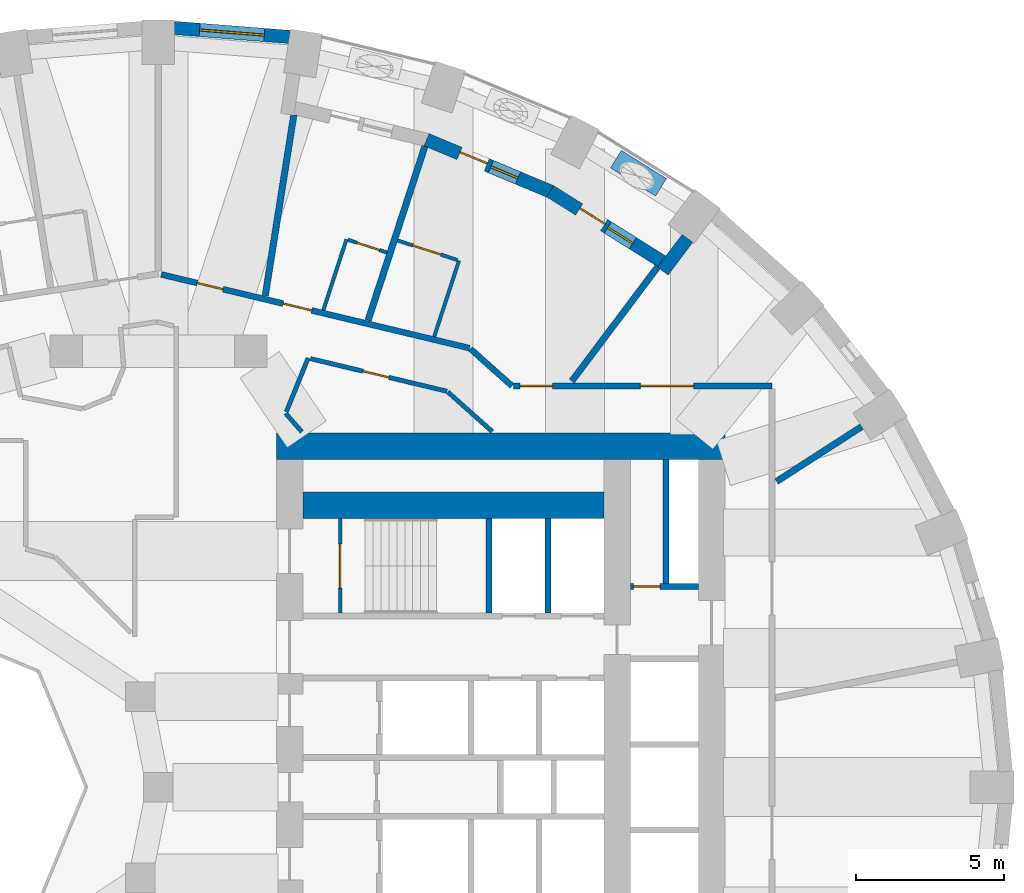
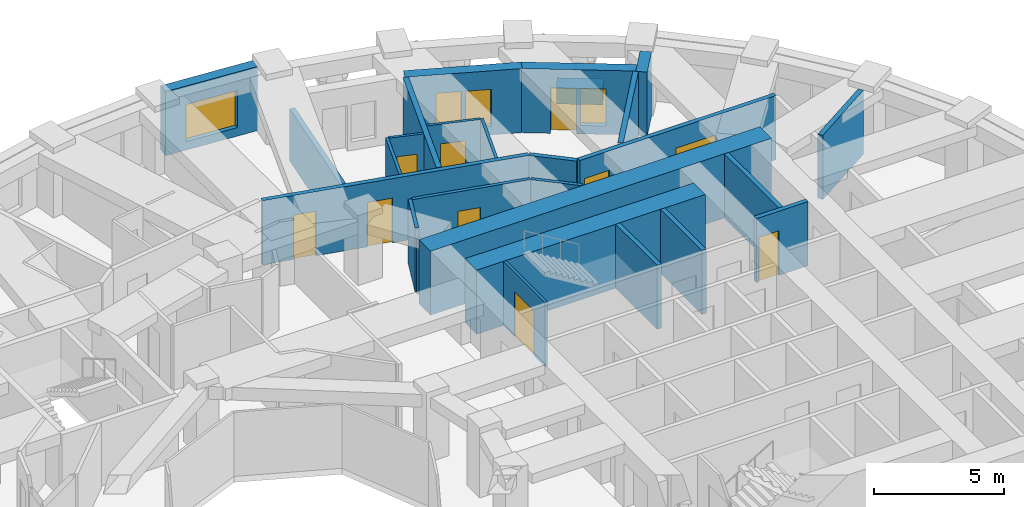
# One storey, part 9 of 14: 27 walls, 11 doors, 3 windows, 14 openings.
"""IFC4 building model written with IfcOpenShell, lengths in metres."""

from ifc_helpers import new_model, si_unit, direction, frame, frame_2d, origin, place, context, subcontext, project, spatial, rectangle, extrude, material, layer, layer_set, constituent, constituent_set, type_object, element, fill, save


model = new_model("IFC4")

# Units and contexts
model_context = context("Model", 3, precision=1e-05, world=origin(), true_north=direction((0.0, 1.0)))
body_context = subcontext(model_context, "Body", "Model", "MODEL_VIEW")
ifc_project = project(units=[si_unit("LENGTHUNIT", "METRE"), si_unit("AREAUNIT", "SQUARE_METRE"), si_unit("VOLUMEUNIT", "CUBIC_METRE"), si_unit("PLANEANGLEUNIT", "RADIAN"), si_unit("MASSUNIT", "GRAM", prefix="KILO")], contexts=[model_context])

# Site, building, storey
site_placement = place(None, origin())
site = spatial("IfcSite", under=ifc_project, at=site_placement, CompositionType="ELEMENT")
building_placement = place(site_placement, origin())
building = spatial("IfcBuilding", under=site, at=building_placement, Name="Taillehof Tower", CompositionType="ELEMENT")
storey_placement = place(building_placement, frame((0.0, 0.0, 21.699951171875)))
storey = spatial("IfcBuildingStorey", under=building, at=storey_placement, Name="L04", CompositionType="ELEMENT", Elevation=21.699951171875)

# Wall, opening, window
ifc_material_1 = material(Name="Brick masonry", Category="masonry")
ifc_layer_1 = layer(ifc_material_1, 0.449951171875)
ifc_layer_set_1 = layer_set([ifc_layer_1], Name="Brick infill wall 450")
wall_type_1 = type_object("IfcWallType", Name="Brick infill wall 450", PredefinedType="SOLIDWALL", material=ifc_layer_set_1)
wall_1_placement = place(storey_placement, frame((4.457275390625, 25.42578125, 0.0), z_axis=(0.0, 0.0, 1.0), x_axis=(-0.996955972145, 0.077966592873, 0.0)))
wall_1 = element("IfcWall", 1, at=wall_1_placement, inside=storey, type_object=wall_type_1, Name="Brick wall L04 bay 9", PredefinedType="SOLIDWALL", context=body_context, shape_type="SweptSolid", body=[
    extrude(rectangle(XDim=3.939208984375, YDim=0.449951171875, at=frame_2d((1.9697265625, 0.0))), origin(), (0.0, 0.0, 1.0), 3.02001953125),
])
opening_1_placement = place(wall_1_placement, frame((0.86962890625, 0.0, 0.39990234375)))
opening_1 = element("IfcOpeningElement", 2, at=opening_1_placement, cuts=wall_1, Name="Opening W1", PredefinedType="OPENING", context=body_context, shape_type="SweptSolid", body=[
    extrude(rectangle(XDim=2.199951171875, YDim=1.75, at=frame_2d((1.10009765625, 0.875))), frame((0.0, 0.23486328125, 0.0), z_axis=(0.0, -1.0, 0.0), x_axis=(1.0, 0.0, 0.0)), (0.0, 0.0, 1.0), 0.469970703125),
])
ifc_material_2 = material(Name="Aluminium window frame with clear double glazing", Category="aluminium")
window_type_1 = type_object("IfcWindowType", Name="Deep-set window 2200x1750", PartitioningType="SINGLE_PANEL", PredefinedType="WINDOW", material=ifc_material_2)
window_1_placement = place(opening_1_placement, origin())
window_1 = element("IfcWindow", 3, at=window_1_placement, inside=storey, type_object=window_type_1, Name="W1", OverallHeight=1.75, OverallWidth=2.199951171875, PartitioningType="SINGLE_PANEL", PredefinedType="WINDOW", context=body_context, shape_type="SweptSolid", body=[
    extrude(rectangle(XDim=2.199951171875, YDim=1.75, at=frame_2d((1.10009765625, 0.875))), frame((0.0, 0.034912109375, 0.0), z_axis=(0.0, -1.0, 0.0), x_axis=(1.0, 0.0, 0.0)), (0.0, 0.0, 1.0), 0.06005859375),
])
fill(opening_1, window_1)

# Wall
wall_2_placement = place(storey_placement, frame((17.931640625, 18.60009765625, 0.0), z_axis=(0.0, 0.0, 1.0), x_axis=(-0.601262851241, -0.799051302306, 0.0)))
element("IfcWall", 4, at=wall_2_placement, inside=storey, type_object=wall_type_1, Name="Brick reveal L04 pocket 1", PredefinedType="SOLIDWALL", context=body_context, shape_type="SweptSolid", body=[
    extrude(rectangle(XDim=1.39111328125, YDim=0.449951171875, at=frame_2d((0.695556640625, 0.0))), origin(), (0.0, 0.0, 1.0), 3.02001953125),
])

# Wall, openings, door, window
wall_3_placement = place(storey_placement, frame((17.062255859375, 17.81884765625, 0.0), z_axis=(0.0, 0.0, 1.0), x_axis=(-0.846990101364, 0.531608660757, 0.0)))
wall_3 = element("IfcWall", 5, at=wall_3_placement, inside=storey, type_object=wall_type_1, Name="Brick wall L04 pocket bay 6", PredefinedType="SOLIDWALL", context=body_context, shape_type="SweptSolid", body=[
    extrude(rectangle(XDim=4.468994140625, YDim=0.449951171875, at=frame_2d((2.234375, 0.0))), origin(), (0.0, 0.0, 1.0), 3.02001953125),
])
opening_2_placement = place(wall_3_placement, frame((1.159423828125, 0.0, 0.39990234375)))
opening_2 = element("IfcOpeningElement", 6, at=opening_2_placement, cuts=wall_3, Name="Opening W5", PredefinedType="OPENING", context=body_context, shape_type="SweptSolid", body=[
    extrude(rectangle(XDim=1.0, YDim=1.75, at=frame_2d((0.5, 0.875))), frame((0.0, 0.23486328125, 0.0), z_axis=(0.0, -1.0, 0.0), x_axis=(1.0, 0.0, 0.0)), (0.0, 0.0, 1.0), 0.469970703125),
])
opening_3_placement = place(wall_3_placement, frame((2.3095703125, 0.0, 0.0)))
opening_3 = element("IfcOpeningElement", 7, at=opening_3_placement, cuts=wall_3, Name="Opening D0491", PredefinedType="OPENING", context=body_context, shape_type="SweptSolid", body=[
    extrude(rectangle(XDim=1.0, YDim=2.14990234375, at=frame_2d((0.5, 1.074951171875))), frame((0.0, 0.23486328125, 0.0), z_axis=(0.0, -1.0, 0.0), x_axis=(1.0, 0.0, 0.0)), (0.0, 0.0, 1.0), 0.469970703125),
])
ifc_material_3 = material(Name="Aluminium door frame with clear double glazing", Category="aluminium")
door_type_1 = type_object("IfcDoorType", Name="Balcony door 1000x2150", OperationType="SINGLE_SWING_RIGHT", PredefinedType="DOOR", material=ifc_material_3)
door_1_placement = place(opening_3_placement, frame((1.0, 0.0, 0.0), z_axis=(0.0, 0.0, 1.0), x_axis=(-1.0, 0.0, 0.0)))
door_1 = element("IfcDoor", 8, at=door_1_placement, inside=storey, type_object=door_type_1, Name="Balcony door L04 bay 6", OperationType="SINGLE_SWING_RIGHT", OverallHeight=2.14990234375, OverallWidth=1.0, PredefinedType="DOOR", context=body_context, shape_type="SweptSolid", body=[
    extrude(rectangle(XDim=1.0, YDim=2.14990234375, at=frame_2d((0.5, 1.074951171875))), frame((0.0, 0.0751953125, 0.0), z_axis=(0.0, -1.0, 0.0), x_axis=(1.0, 0.0, 0.0)), (0.0, 0.0, 1.0), 0.050048828125),
])
fill(opening_3, door_1)
ifc_material_4 = material(Name="Aluminium window frame with clear double glazing", Category="aluminium")
window_type_2 = type_object("IfcWindowType", Name="Fixed window 1000x1750", PartitioningType="SINGLE_PANEL", PredefinedType="WINDOW", material=ifc_material_4)
window_2_placement = place(opening_2_placement, origin())
window_2 = element("IfcWindow", 9, at=window_2_placement, inside=storey, type_object=window_type_2, Name="W5", OverallHeight=1.75, OverallWidth=1.0, PartitioningType="SINGLE_PANEL", PredefinedType="WINDOW", context=body_context, shape_type="SweptSolid", body=[
    extrude(rectangle(XDim=1.0, YDim=1.75, at=frame_2d((0.5, 0.875))), frame((0.0, 0.034912109375, 0.0), z_axis=(0.0, -1.0, 0.0), x_axis=(1.0, 0.0, 0.0)), (0.0, 0.0, 1.0), 0.06005859375),
])
fill(opening_2, window_2)

wall_4_placement = place(storey_placement, frame((13.31005859375, 20.177734375, 0.0), z_axis=(0.0, 0.0, 1.0), x_axis=(-0.922634412489, 0.385675693935, 0.0)))
wall_4 = element("IfcWall", 10, at=wall_4_placement, inside=storey, type_object=wall_type_1, Name="Brick wall L04 pocket bay 7", PredefinedType="SOLIDWALL", context=body_context, shape_type="SweptSolid", body=[
    extrude(rectangle(XDim=4.57666015625, YDim=0.449951171875, at=frame_2d((2.288330078125, 0.0))), origin(), (0.0, 0.0, 1.0), 3.02001953125),
])
opening_4_placement = place(wall_4_placement, frame((1.21337890625, 0.0, 0.39990234375)))
opening_4 = element("IfcOpeningElement", 11, at=opening_4_placement, cuts=wall_4, Name="Opening W5", PredefinedType="OPENING", context=body_context, shape_type="SweptSolid", body=[
    extrude(rectangle(XDim=1.0, YDim=1.75, at=frame_2d((0.5, 0.875))), frame((0.0, 0.23486328125, 0.0), z_axis=(0.0, -1.0, 0.0), x_axis=(1.0, 0.0, 0.0)), (0.0, 0.0, 1.0), 0.469970703125),
])
opening_5_placement = place(wall_4_placement, frame((2.36328125, 0.0, 0.0)))
opening_5 = element("IfcOpeningElement", 12, at=opening_5_placement, cuts=wall_4, Name="Opening D0492", PredefinedType="OPENING", context=body_context, shape_type="SweptSolid", body=[
    extrude(rectangle(XDim=1.0, YDim=2.14990234375, at=frame_2d((0.5, 1.074951171875))), frame((0.0, 0.23486328125, 0.0), z_axis=(0.0, -1.0, 0.0), x_axis=(1.0, 0.0, 0.0)), (0.0, 0.0, 1.0), 0.469970703125),
])
door_2_placement = place(opening_5_placement, frame((1.0, 0.0, 0.0), z_axis=(0.0, 0.0, 1.0), x_axis=(-1.0, 0.0, 0.0)))
door_2 = element("IfcDoor", 13, at=door_2_placement, inside=storey, type_object=door_type_1, Name="Balcony door L04 bay 7", OperationType="SINGLE_SWING_LEFT", OverallHeight=2.14990234375, OverallWidth=1.0, PredefinedType="DOOR", context=body_context, shape_type="SweptSolid", body=[
    extrude(rectangle(XDim=1.0, YDim=2.14990234375, at=frame_2d((0.5, 1.074951171875))), frame((0.0, 0.0751953125, 0.0), z_axis=(0.0, -1.0, 0.0), x_axis=(1.0, 0.0, 0.0)), (0.0, 0.0, 1.0), 0.050048828125),
])
fill(opening_5, door_2)
window_3_placement = place(opening_4_placement, origin())
window_3 = element("IfcWindow", 14, at=window_3_placement, inside=storey, type_object=window_type_2, Name="W5", OverallHeight=1.75, OverallWidth=1.0, PartitioningType="SINGLE_PANEL", PredefinedType="WINDOW", context=body_context, shape_type="SweptSolid", body=[
    extrude(rectangle(XDim=1.0, YDim=1.75, at=frame_2d((0.5, 0.875))), frame((0.0, 0.034912109375, 0.0), z_axis=(0.0, -1.0, 0.0), x_axis=(1.0, 0.0, 0.0)), (0.0, 0.0, 1.0), 0.06005859375),
])
fill(opening_4, window_3)

# Wall, opening, door
ifc_material_5 = material(Name="Calcium silicate masonry", Category="masonry")
ifc_layer_2 = layer(ifc_material_5, 0.199951171875)
ifc_layer_set_2 = layer_set([ifc_layer_2], Name="Compartment wall calcium silicate 200")
wall_type_2 = type_object("IfcWallType", Name="Compartment wall calcium silicate 200", PredefinedType="PARTITIONING", material=ifc_layer_set_2)
wall_5_placement = place(storey_placement, frame((16.0, 6.800048828125, 0.0), z_axis=(0.0, 0.0, 1.0), x_axis=(1.0, 0.0, 0.0)))
wall_5 = element("IfcWall", 15, at=wall_5_placement, inside=storey, type_object=wall_type_2, Name="Compartment wall FW", PredefinedType="PARTITIONING", context=body_context, shape_type="SweptSolid", body=[
    extrude(rectangle(XDim=2.300048828125, YDim=0.199951171875, at=frame_2d((1.14990234375, 0.0))), origin(), (0.0, 0.0, 1.0), 3.02001953125),
])
opening_6_placement = place(wall_5_placement, frame((0.10009765625, 0.0, 0.0)))
opening_6 = element("IfcOpeningElement", 16, at=opening_6_placement, cuts=wall_5, Name="Opening D0416", PredefinedType="OPENING", context=body_context, shape_type="SweptSolid", body=[
    extrude(rectangle(XDim=0.89990234375, YDim=2.10009765625, at=frame_2d((0.449951171875, 1.050048828125))), frame((0.0, 0.10986328125, 0.0), z_axis=(0.0, -1.0, 0.0), x_axis=(1.0, 0.0, 0.0)), (0.0, 0.0, 1.0), 0.219970703125),
])
ifc_material_6 = material(Name="Steel-faced fire door", Category="steel")
door_type_2 = type_object("IfcDoorType", Name="Riser and service room door 900x2100", OperationType="SINGLE_SWING_LEFT", PredefinedType="DOOR", material=ifc_material_6)
door_3_placement = place(opening_6_placement, origin())
door_3 = element("IfcDoor", 17, at=door_3_placement, inside=storey, type_object=door_type_2, Name="Door Linen Store", OperationType="SINGLE_SWING_RIGHT", OverallHeight=2.10009765625, OverallWidth=0.89990234375, PredefinedType="DOOR", context=body_context, shape_type="SweptSolid", body=[
    extrude(rectangle(XDim=0.89990234375, YDim=2.10009765625, at=frame_2d((0.449951171875, 1.050048828125))), frame((0.0, 0.02490234375, 0.0), z_axis=(0.0, -1.0, 0.0), x_axis=(1.0, 0.0, 0.0)), (0.0, 0.0, 1.0), 0.050048828125),
])
fill(opening_6, door_3)

# Wall
wall_6_placement = place(storey_placement, frame((17.199951171875, 6.89990234375, 0.0), z_axis=(0.0, 0.0, 1.0), x_axis=(0.0, 1.0, 0.0)))
element("IfcWall", 18, at=wall_6_placement, inside=storey, type_object=wall_type_2, Name="Compartment wall FW", PredefinedType="PARTITIONING", context=body_context, shape_type="SweptSolid", body=[
    extrude(rectangle(XDim=4.2001953125, YDim=0.199951171875, at=frame_2d((2.10009765625, 0.0))), origin(), (0.0, 0.0, 1.0), 3.02001953125),
])

# Wall, openings, doors
ifc_material_7 = material(Name="Gypsum board on steel studs, two layers each side", Category="steel")
ifc_layer_3 = layer(ifc_material_7, 0.199951171875)
ifc_layer_set_3 = layer_set([ifc_layer_3], Name="Compartment wall corridor 200")
wall_type_3 = type_object("IfcWallType", Name="Compartment wall corridor 200", PredefinedType="PARTITIONING", material=ifc_layer_set_3)
wall_7_placement = place(storey_placement, frame((0.09765625, 17.376708984375, 0.0), z_axis=(0.0, 0.0, 1.0), x_axis=(0.972602241469, -0.232475546864, 0.0)))
wall_7 = element("IfcWall", 19, at=wall_7_placement, inside=storey, type_object=wall_type_3, Name="Compartment wall", PredefinedType="PARTITIONING", context=body_context, shape_type="SweptSolid", body=[
    extrude(rectangle(XDim=10.743408203125, YDim=0.199951171875, at=frame_2d((5.37158203125, 0.0))), origin(), (0.0, 0.0, 1.0), 3.02001953125),
])
opening_7_placement = place(wall_7_placement, frame((4.241943359375, 0.0, 0.0)))
opening_7 = element("IfcOpeningElement", 20, at=opening_7_placement, cuts=wall_7, Name="Opening D0442", PredefinedType="OPENING", context=body_context, shape_type="SweptSolid", body=[
    extrude(rectangle(XDim=1.0, YDim=2.10009765625, at=frame_2d((0.5, 1.050048828125))), frame((0.0, 0.10986328125, 0.0), z_axis=(0.0, -1.0, 0.0), x_axis=(1.0, 0.0, 0.0)), (0.0, 0.0, 1.0), 0.219970703125),
])
opening_8_placement = place(wall_7_placement, frame((1.25341796875, 0.0, 0.0)))
opening_8 = element("IfcOpeningElement", 21, at=opening_8_placement, cuts=wall_7, Name="Opening D0444", PredefinedType="OPENING", context=body_context, shape_type="SweptSolid", body=[
    extrude(rectangle(XDim=0.89990234375, YDim=2.10009765625, at=frame_2d((0.449951171875, 1.050048828125))), frame((0.0, 0.10986328125, 0.0), z_axis=(0.0, -1.0, 0.0), x_axis=(1.0, 0.0, 0.0)), (0.0, 0.0, 1.0), 0.219970703125),
])
ifc_material_8 = material(Name="Timber door leaf in steel frame", Category="steel")
door_type_3 = type_object("IfcDoorType", Name="Guest room door EI 30 1000 x 2100", OperationType="SINGLE_SWING_LEFT", PredefinedType="DOOR", material=ifc_material_8)
door_4_placement = place(opening_7_placement, origin())
door_4 = element("IfcDoor", 22, at=door_4_placement, inside=storey, type_object=door_type_3, Name="D0442", OperationType="SINGLE_SWING_RIGHT", OverallHeight=2.10009765625, OverallWidth=1.0, PredefinedType="DOOR", context=body_context, shape_type="SweptSolid", body=[
    extrude(rectangle(XDim=1.0, YDim=2.10009765625, at=frame_2d((0.5, 1.050048828125))), frame((0.0, 0.02490234375, 0.0), z_axis=(0.0, -1.0, 0.0), x_axis=(1.0, 0.0, 0.0)), (0.0, 0.0, 1.0), 0.050048828125),
])
fill(opening_7, door_4)
ifc_material_9 = material(Name="Timber door leaf in steel frame", Category="steel")
door_type_4 = type_object("IfcDoorType", Name="Service room door EI 30 900 x 2100", OperationType="SINGLE_SWING_LEFT", PredefinedType="DOOR", material=ifc_material_9)
door_5_placement = place(opening_8_placement, origin())
door_5 = element("IfcDoor", 23, at=door_5_placement, inside=storey, type_object=door_type_4, Name="D0444", OperationType="SINGLE_SWING_LEFT", OverallHeight=2.10009765625, OverallWidth=0.89990234375, PredefinedType="DOOR", context=body_context, shape_type="SweptSolid", body=[
    extrude(rectangle(XDim=0.89990234375, YDim=2.10009765625, at=frame_2d((0.449951171875, 1.050048828125))), frame((0.0, 0.02490234375, 0.0), z_axis=(0.0, -1.0, 0.0), x_axis=(1.0, 0.0, 0.0)), (0.0, 0.0, 1.0), 0.050048828125),
])
fill(opening_8, door_5)

# Wall
wall_8_placement = place(storey_placement, frame((10.576416015625, 14.852783203125, 0.0), z_axis=(0.0, 0.0, 1.0), x_axis=(0.746758163178, -0.665095666597, 0.0)))
element("IfcWall", 24, at=wall_8_placement, inside=storey, type_object=wall_type_3, Name="Compartment wall", PredefinedType="PARTITIONING", context=body_context, shape_type="SweptSolid", body=[
    extrude(rectangle(XDim=1.883544921875, YDim=0.199951171875, at=frame_2d((0.94189453125, 0.0))), origin(), (0.0, 0.0, 1.0), 3.02001953125),
])

# Wall, openings, doors
wall_9_placement = place(storey_placement, frame((12.04296875, 13.60009765625, 0.0), z_axis=(0.0, 0.0, 1.0), x_axis=(1.0, 0.0, 0.0)))
wall_9 = element("IfcWall", 25, at=wall_9_placement, inside=storey, type_object=wall_type_3, Name="Compartment wall", PredefinedType="PARTITIONING", context=body_context, shape_type="SweptSolid", body=[
    extrude(rectangle(XDim=8.757080078125, YDim=0.199951171875, at=frame_2d((4.37841796875, 0.0))), origin(), (0.0, 0.0, 1.0), 3.02001953125),
])
opening_9_placement = place(wall_9_placement, frame((0.219970703125, 0.0, 0.0)))
opening_9 = element("IfcOpeningElement", 26, at=opening_9_placement, cuts=wall_9, Name="Opening D0440", PredefinedType="OPENING", context=body_context, shape_type="SweptSolid", body=[
    extrude(rectangle(XDim=1.10009765625, YDim=2.10009765625, at=frame_2d((0.550048828125, 1.050048828125))), frame((0.0, 0.10986328125, 0.0), z_axis=(0.0, -1.0, 0.0), x_axis=(1.0, 0.0, 0.0)), (0.0, 0.0, 1.0), 0.219970703125),
])
opening_10_placement = place(wall_9_placement, frame((4.293212890625, 0.0, 0.0)))
opening_10 = element("IfcOpeningElement", 27, at=opening_10_placement, cuts=wall_9, Name="Opening D0472", PredefinedType="OPENING", context=body_context, shape_type="SweptSolid", body=[
    extrude(rectangle(XDim=1.800048828125, YDim=2.10009765625, at=frame_2d((0.89990234375, 1.050048828125))), frame((0.0, 0.10986328125, 0.0), z_axis=(0.0, -1.0, 0.0), x_axis=(1.0, 0.0, 0.0)), (0.0, 0.0, 1.0), 0.219970703125),
])
ifc_material_10 = material(Name="Timber door leaf in steel frame", Category="steel")
door_type_5 = type_object("IfcDoorType", Name="Accessible guest room door EI 30 1100 x 2100", OperationType="SINGLE_SWING_LEFT", PredefinedType="DOOR", material=ifc_material_10)
door_6_placement = place(opening_9_placement, origin())
door_6 = element("IfcDoor", 28, at=door_6_placement, inside=storey, type_object=door_type_5, Name="D0440", OperationType="SINGLE_SWING_LEFT", OverallHeight=2.10009765625, OverallWidth=1.10009765625, PredefinedType="DOOR", context=body_context, shape_type="SweptSolid", body=[
    extrude(rectangle(XDim=1.10009765625, YDim=2.10009765625, at=frame_2d((0.550048828125, 1.050048828125))), frame((0.0, 0.02490234375, 0.0), z_axis=(0.0, -1.0, 0.0), x_axis=(1.0, 0.0, 0.0)), (0.0, 0.0, 1.0), 0.050048828125),
])
fill(opening_9, door_6)
ifc_material_11 = material(Name="Timber door leaf in steel frame", Category="steel")
door_type_6 = type_object("IfcDoorType", Name="Lounge and meeting room double door EI 30 1800 x 2100", OperationType="SINGLE_SWING_LEFT", PredefinedType="DOOR", material=ifc_material_11)
door_7_placement = place(opening_10_placement, origin())
door_7 = element("IfcDoor", 29, at=door_7_placement, inside=storey, type_object=door_type_6, Name="D0472", OperationType="DOUBLE_DOOR_SINGLE_SWING", OverallHeight=2.10009765625, OverallWidth=1.800048828125, PredefinedType="DOOR", context=body_context, shape_type="SweptSolid", body=[
    extrude(rectangle(XDim=1.800048828125, YDim=2.10009765625, at=frame_2d((0.89990234375, 1.050048828125))), frame((0.0, 0.02490234375, 0.0), z_axis=(0.0, -1.0, 0.0), x_axis=(1.0, 0.0, 0.0)), (0.0, 0.0, 1.0), 0.050048828125),
])
fill(opening_10, door_7)

# Walls
ifc_material_12 = material(Name="Gypsum board on double steel studs with mineral wool", Category="steel")
ifc_layer_4 = layer(ifc_material_12, 0.219970703125)
ifc_layer_set_4 = layer_set([ifc_layer_4], Name="Compartment wall guest room 220")
wall_type_4 = type_object("IfcWallType", Name="Compartment wall guest room 220", PredefinedType="PARTITIONING", material=ifc_layer_set_4)
wall_10_placement = place(storey_placement, frame((23.834716796875, 12.218994140625, 0.0), z_axis=(0.0, 0.0, 1.0), x_axis=(-0.840694872373, -0.541509124176, 0.0)))
element("IfcWall", 30, at=wall_10_placement, inside=storey, type_object=wall_type_4, Name="Compartment wall", PredefinedType="PARTITIONING", context=body_context, shape_type="SweptSolid", body=[
    extrude(rectangle(XDim=3.430419921875, YDim=0.219970703125, at=frame_2d((1.71533203125, 0.0))), origin(), (0.0, 0.0, 1.0), 3.02001953125),
])
wall_11_placement = place(storey_placement, frame((16.926513671875, 17.638427734375, 0.0), z_axis=(0.0, 0.0, 1.0), x_axis=(-0.601183583641, -0.799110942711, 0.0)))
element("IfcWall", 31, at=wall_11_placement, inside=storey, type_object=wall_type_4, Name="Compartment wall", PredefinedType="PARTITIONING", context=body_context, shape_type="SweptSolid", body=[
    extrude(rectangle(XDim=4.848876953125, YDim=0.219970703125, at=frame_2d((2.42431640625, 0.0))), origin(), (0.0, 0.0, 1.0), 3.02001953125),
])
wall_12_placement = place(storey_placement, frame((9.033935546875, 21.72119140625, 0.0), z_axis=(0.0, 0.0, 1.0), x_axis=(-0.310247180826, -0.950655924501, 0.0)))
element("IfcWall", 32, at=wall_12_placement, inside=storey, type_object=wall_type_4, Name="Compartment wall", PredefinedType="PARTITIONING", context=body_context, shape_type="SweptSolid", body=[
    extrude(rectangle(XDim=6.203369140625, YDim=0.219970703125, at=frame_2d((3.1015625, 0.0))), origin(), (0.0, 0.0, 1.0), 3.02001953125),
])
wall_13_placement = place(storey_placement, frame((4.590576171875, 22.78857421875, 0.0), z_axis=(0.0, 0.0, 1.0), x_axis=(-0.15615243256, -0.987732968877, 0.0)))
element("IfcWall", 33, at=wall_13_placement, inside=storey, type_object=wall_type_4, Name="Compartment wall", PredefinedType="PARTITIONING", context=body_context, shape_type="SweptSolid", body=[
    extrude(rectangle(XDim=6.20703125, YDim=0.219970703125, at=frame_2d((3.103515625, 0.0))), origin(), (0.0, 0.0, 1.0), 2.469970703125),
])
ifc_material_13 = material(Name="Gypsum board on steel studs, two layers each side", Category="steel")
ifc_layer_5 = layer(ifc_material_13, 0.14990234375)
ifc_layer_set_5 = layer_set([ifc_layer_5], Name="Compartment wall service room 150")
wall_type_5 = type_object("IfcWallType", Name="Compartment wall service room 150", PredefinedType="PARTITIONING", material=ifc_layer_set_5)
wall_14_placement = place(storey_placement, frame((4.864501953125, 12.04150390625, 0.0), z_axis=(0.0, 0.0, 1.0), x_axis=(-0.660014599896, 0.751252772323, 0.0)))
element("IfcWall", 34, at=wall_14_placement, inside=storey, type_object=wall_type_5, Name="Compartment wall", PredefinedType="PARTITIONING", context=body_context, shape_type="SweptSolid", body=[
    extrude(rectangle(XDim=0.8349609375, YDim=0.14990234375, at=frame_2d((0.41748046875, 0.0))), origin(), (0.0, 0.0, 1.0), 2.570068359375),
])
wall_15_placement = place(storey_placement, frame((4.336181640625, 12.724365234375, 0.0), z_axis=(0.0, 0.0, 1.0), x_axis=(0.376897652409, 0.926254910707, 0.0)))
element("IfcWall", 35, at=wall_15_placement, inside=storey, type_object=wall_type_5, Name="Compartment wall", PredefinedType="PARTITIONING", context=body_context, shape_type="SweptSolid", body=[
    extrude(rectangle(XDim=1.962158203125, YDim=0.14990234375, at=frame_2d((0.98095703125, 0.0))), origin(), (0.0, 0.0, 1.0), 3.02001953125),
])

# Wall, opening, door
wall_16_placement = place(storey_placement, frame((5.15380859375, 14.523193359375, 0.0), z_axis=(0.0, 0.0, 1.0), x_axis=(0.972595031209, -0.232505710182, 0.0)))
wall_16 = element("IfcWall", 36, at=wall_16_placement, inside=storey, type_object=wall_type_5, Name="Compartment wall", PredefinedType="PARTITIONING", context=body_context, shape_type="SweptSolid", body=[
    extrude(rectangle(XDim=4.759765625, YDim=0.14990234375, at=frame_2d((2.3798828125, 0.0))), origin(), (0.0, 0.0, 1.0), 3.02001953125),
])
opening_11_placement = place(wall_16_placement, frame((1.829345703125, 0.0, 0.0)))
opening_11 = element("IfcOpeningElement", 37, at=opening_11_placement, cuts=wall_16, Name="Opening D0474", PredefinedType="OPENING", context=body_context, shape_type="SweptSolid", body=[
    extrude(rectangle(XDim=0.89990234375, YDim=2.10009765625, at=frame_2d((0.449951171875, 1.050048828125))), frame((0.0, 0.0849609375, 0.0), z_axis=(0.0, -1.0, 0.0), x_axis=(1.0, 0.0, 0.0)), (0.0, 0.0, 1.0), 0.169921875),
])
door_8_placement = place(opening_11_placement, origin())
door_8 = element("IfcDoor", 38, at=door_8_placement, inside=storey, type_object=door_type_4, Name="D0474", OperationType="SINGLE_SWING_RIGHT", OverallHeight=2.10009765625, OverallWidth=0.89990234375, PredefinedType="DOOR", context=body_context, shape_type="SweptSolid", body=[
    extrude(rectangle(XDim=0.89990234375, YDim=2.10009765625, at=frame_2d((0.449951171875, 1.050048828125))), frame((0.0, 0.02490234375, 0.0), z_axis=(0.0, -1.0, 0.0), x_axis=(1.0, 0.0, 0.0)), (0.0, 0.0, 1.0), 0.050048828125),
])
fill(opening_11, door_8)

# Walls
wall_17_placement = place(storey_placement, frame((9.81298828125, 13.39013671875, 0.0), z_axis=(0.0, 0.0, 1.0), x_axis=(0.746772740714, -0.665079298825, 0.0)))
element("IfcWall", 39, at=wall_17_placement, inside=storey, type_object=wall_type_5, Name="Compartment wall", PredefinedType="PARTITIONING", context=body_context, shape_type="SweptSolid", body=[
    extrude(rectangle(XDim=2.01123046875, YDim=0.14990234375, at=frame_2d((1.005615234375, 0.0))), origin(), (0.0, 0.0, 1.0), 3.02001953125),
])
ifc_material_14 = material(Name="Concrete C80/95", Category="concrete")
ifc_layer_6 = layer(ifc_material_14, 0.89990234375)
ifc_layer_set_6 = layer_set([ifc_layer_6], Name="Core wall C80/95 900")
wall_type_6 = type_object("IfcWallType", Name="Core wall C80/95 900", PredefinedType="SHEAR", material=ifc_layer_set_6)
wall_18_placement = place(storey_placement, frame((4.0, 11.550048828125, 0.0), z_axis=(0.0, 0.0, 1.0), x_axis=(1.0, 0.0, 0.0)))
element("IfcWall", 40, at=wall_18_placement, inside=storey, type_object=wall_type_6, Name="Core wall CW03", PredefinedType="SHEAR", context=body_context, shape_type="SweptSolid", body=[
    extrude(rectangle(XDim=15.199951171875, YDim=0.89990234375, at=frame_2d((7.60009765625, 0.0))), origin(), (0.0, 0.0, 1.0), 3.02001953125),
])
wall_19_placement = place(storey_placement, frame((4.89990234375, 9.550048828125, 0.0), z_axis=(0.0, 0.0, 1.0), x_axis=(1.0, 0.0, 0.0)))
element("IfcWall", 41, at=wall_19_placement, inside=storey, type_object=wall_type_6, Name="Core wall CW06", PredefinedType="SHEAR", context=body_context, shape_type="SweptSolid", body=[
    extrude(rectangle(XDim=10.2001953125, YDim=0.89990234375, at=frame_2d((5.10009765625, 0.0))), origin(), (0.0, 0.0, 1.0), 3.02001953125),
])
ifc_material_15 = material(Name="Gypsum board on steel studs, moisture resistant", Category="steel")
ifc_layer_7 = layer(ifc_material_15, 0.1201171875)
ifc_layer_set_7 = layer_set([ifc_layer_7], Name="En-suite wall 120")
wall_type_7 = type_object("IfcWallType", Name="En-suite wall 120", PredefinedType="PARTITIONING", material=ifc_layer_set_7)
wall_20_placement = place(storey_placement, frame((9.347900390625, 15.2685546875, 0.0), z_axis=(0.0, 0.0, 1.0), x_axis=(0.310147893553, 0.950688321231, 0.0)))
element("IfcWall", 42, at=wall_20_placement, inside=storey, type_object=wall_type_7, Name="En-suite wall", PredefinedType="PARTITIONING", context=body_context, shape_type="SweptSolid", body=[
    extrude(rectangle(XDim=2.71337890625, YDim=0.1201171875, at=frame_2d((1.356689453125, 0.0))), origin(), (0.0, 0.0, 1.0), 3.02001953125),
])
wall_21_placement = place(storey_placement, frame((5.5908203125, 16.16650390625, 0.0), z_axis=(0.0, 0.0, 1.0), x_axis=(0.310246659943, 0.950656094492, 0.0)))
element("IfcWall", 43, at=wall_21_placement, inside=storey, type_object=wall_type_7, Name="En-suite wall", PredefinedType="PARTITIONING", context=body_context, shape_type="SweptSolid", body=[
    extrude(rectangle(XDim=2.525146484375, YDim=0.1201171875, at=frame_2d((1.2626953125, 0.0))), origin(), (0.0, 0.0, 1.0), 3.02001953125),
])

# Wall, opening, door
wall_22_placement = place(storey_placement, frame((10.13232421875, 17.86669921875, 0.0), z_axis=(0.0, 0.0, 1.0), x_axis=(-0.950681354321, 0.310169248227, 0.0)))
wall_22 = element("IfcWall", 44, at=wall_22_placement, inside=storey, type_object=wall_type_7, Name="En-suite wall", PredefinedType="PARTITIONING", context=body_context, shape_type="SweptSolid", body=[
    extrude(rectangle(XDim=2.1298828125, YDim=0.1201171875, at=frame_2d((1.06494140625, 0.0))), origin(), (0.0, 0.0, 1.0), 3.02001953125),
])
opening_12_placement = place(wall_22_placement, frame((0.58984375, 0.0, 0.0)))
opening_12 = element("IfcOpeningElement", 45, at=opening_12_placement, cuts=wall_22, Name="Opening D0441", PredefinedType="OPENING", context=body_context, shape_type="SweptSolid", body=[
    extrude(rectangle(XDim=1.0, YDim=2.10009765625, at=frame_2d((0.5, 1.050048828125))), frame((0.0, 0.070068359375, 0.0), z_axis=(0.0, -1.0, 0.0), x_axis=(1.0, 0.0, 0.0)), (0.0, 0.0, 1.0), 0.14013671875),
])
ifc_material_16 = material(Name="Timber door leaf in steel frame", Category="steel")
door_type_7 = type_object("IfcDoorType", Name="Accessible en-suite door 1000 x 2100", OperationType="SINGLE_SWING_LEFT", PredefinedType="DOOR", material=ifc_material_16)
door_9_placement = place(opening_12_placement, origin())
door_9 = element("IfcDoor", 46, at=door_9_placement, inside=storey, type_object=door_type_7, Name="D0441", OperationType="SINGLE_SWING_LEFT", OverallHeight=2.10009765625, OverallWidth=1.0, PredefinedType="DOOR", context=body_context, shape_type="SweptSolid", body=[
    extrude(rectangle(XDim=1.0, YDim=2.10009765625, at=frame_2d((0.5, 1.050048828125))), frame((0.0, 0.02490234375, 0.0), z_axis=(0.0, -1.0, 0.0), x_axis=(1.0, 0.0, 0.0)), (0.0, 0.0, 1.0), 0.050048828125),
])
fill(opening_12, door_9)

wall_23_placement = place(storey_placement, frame((6.431396484375, 18.548583984375, 0.0), z_axis=(0.0, 0.0, 1.0), x_axis=(0.950628893115, -0.310329997864, 0.0)))
wall_23 = element("IfcWall", 47, at=wall_23_placement, inside=storey, type_object=wall_type_7, Name="En-suite wall", PredefinedType="PARTITIONING", context=body_context, shape_type="SweptSolid", body=[
    extrude(rectangle(XDim=1.3798828125, YDim=0.1201171875, at=frame_2d((0.68994140625, 0.0))), origin(), (0.0, 0.0, 1.0), 3.02001953125),
])
opening_13_placement = place(wall_23_placement, frame((0.31494140625, 0.0, 0.0)))
opening_13 = element("IfcOpeningElement", 48, at=opening_13_placement, cuts=wall_23, Name="Opening D0443", PredefinedType="OPENING", context=body_context, shape_type="SweptSolid", body=[
    extrude(rectangle(XDim=0.800048828125, YDim=2.10009765625, at=frame_2d((0.39990234375, 1.050048828125))), frame((0.0, 0.070068359375, 0.0), z_axis=(0.0, -1.0, 0.0), x_axis=(1.0, 0.0, 0.0)), (0.0, 0.0, 1.0), 0.14013671875),
])
ifc_material_17 = material(Name="Timber door leaf in steel frame", Category="steel")
door_type_8 = type_object("IfcDoorType", Name="En-suite door 800 x 2100", OperationType="SINGLE_SWING_LEFT", PredefinedType="DOOR", material=ifc_material_17)
door_10_placement = place(opening_13_placement, origin())
door_10 = element("IfcDoor", 49, at=door_10_placement, inside=storey, type_object=door_type_8, Name="D0443", OperationType="SINGLE_SWING_RIGHT", OverallHeight=2.10009765625, OverallWidth=0.800048828125, PredefinedType="DOOR", context=body_context, shape_type="SweptSolid", body=[
    extrude(rectangle(XDim=0.800048828125, YDim=2.10009765625, at=frame_2d((0.39990234375, 1.050048828125))), frame((0.0, 0.02490234375, 0.0), z_axis=(0.0, -1.0, 0.0), x_axis=(1.0, 0.0, 0.0)), (0.0, 0.0, 1.0), 0.050048828125),
])
fill(opening_13, door_10)

# Walls
ifc_material_18 = material(Name="Concrete C30/37 precast", Category="concrete")
ifc_constituent_1 = constituent(ifc_material_18, Name="Structure", Category="concrete")
ifc_material_19 = material(Name="Insulated lining")
ifc_constituent_2 = constituent(ifc_material_19, Name="Lining")
ifc_constituent_set = constituent_set(constituents=[ifc_constituent_1, ifc_constituent_2], Name="Planter trough 700x750")
wall_type_8 = type_object("IfcWallType", Name="Planter trough 700x750", PredefinedType="USERDEFINED", material=ifc_constituent_set)
wall_24_placement = place(storey_placement, frame((17.03173828125, 20.327880859375, 0.0), z_axis=(0.0, 0.0, 1.0), x_axis=(-0.847609446823, 0.530620604252, 0.0)))
element("IfcWall", 50, at=wall_24_placement, inside=storey, type_object=wall_type_8, Name="Planter L04 bay 6", ObjectType="PLANTER", PredefinedType="USERDEFINED", context=body_context, shape_type="SweptSolid", body=[
    extrude(rectangle(XDim=1.7998046875, YDim=0.699951171875, at=frame_2d((0.89990234375, 0.0))), origin(), (0.0, 0.0, 1.0), 0.75),
])
ifc_material_20 = material(Name="Concrete C50/60", Category="concrete")
ifc_layer_8 = layer(ifc_material_20, 0.199951171875)
ifc_layer_set_8 = layer_set([ifc_layer_8], Name="Shaft wall C50/60 200")
wall_type_9 = type_object("IfcWallType", Name="Shaft wall C50/60 200", PredefinedType="SHEAR", material=ifc_layer_set_8)
for number, where, z_axis, x_axis, name in (
    (51, (11.199951171875, 5.89990234375, 0.0), (0.0, 0.0, 1.0), (0.0, 1.0, 0.0), "Shaft wall SW"),
    (52, (13.199951171875, 5.89990234375, 0.0), (0.0, 0.0, 1.0), (0.0, 1.0, 0.0), "Shaft wall SW"),
):
    element("IfcWall", number, at=place(storey_placement, frame(where, z_axis=z_axis, x_axis=x_axis)), inside=storey, type_object=wall_type_9, Name=name, PredefinedType="SHEAR", context=body_context, shape_type="SweptSolid", body=[
        extrude(rectangle(XDim=3.2001953125, YDim=0.199951171875, at=frame_2d((1.60009765625, 0.0))), origin(), (0.0, 0.0, 1.0), 3.02001953125),
    ])

# Wall, opening, door
ifc_material_21 = material(Name="Concrete C50/60", Category="concrete")
ifc_layer_9 = layer(ifc_material_21, 0.1201171875)
ifc_layer_set_9 = layer_set([ifc_layer_9], Name="Stair lobby wall C50/60 120")
wall_type_10 = type_object("IfcWallType", Name="Stair lobby wall C50/60 120", PredefinedType="SHEAR", material=ifc_layer_set_9)
wall_25_placement = place(storey_placement, frame((6.159912109375, 5.89990234375, 0.0), z_axis=(0.0, 0.0, 1.0), x_axis=(0.0, 1.0, 0.0)))
wall_25 = element("IfcWall", 53, at=wall_25_placement, inside=storey, type_object=wall_type_10, Name="Compartment wall SW", PredefinedType="SHEAR", context=body_context, shape_type="SweptSolid", body=[
    extrude(rectangle(XDim=3.2001953125, YDim=0.1201171875, at=frame_2d((1.60009765625, 0.0))), origin(), (0.0, 0.0, 1.0), 3.02001953125),
])
opening_14_placement = place(wall_25_placement, frame((0.85009765625, 0.0, 0.0)))
opening_14 = element("IfcOpeningElement", 54, at=opening_14_placement, cuts=wall_25, Name="Opening D0410", PredefinedType="OPENING", context=body_context, shape_type="SweptSolid", body=[
    extrude(rectangle(XDim=1.5, YDim=2.10009765625, at=frame_2d((0.75, 1.050048828125))), frame((0.0, 0.070068359375, 0.0), z_axis=(0.0, -1.0, 0.0), x_axis=(1.0, 0.0, 0.0)), (0.0, 0.0, 1.0), 0.14013671875),
])
ifc_material_22 = material(Name="Steel-faced fire door", Category="steel")
door_type_9 = type_object("IfcDoorType", Name="Stair door 1500x2100", OperationType="DOUBLE_DOOR_SINGLE_SWING", PredefinedType="DOOR", material=ifc_material_22)
door_11_placement = place(opening_14_placement, origin())
door_11 = element("IfcDoor", 55, at=door_11_placement, inside=storey, type_object=door_type_9, Name="Stair lobby door S1", OperationType="DOUBLE_DOOR_SINGLE_SWING", OverallHeight=2.10009765625, OverallWidth=1.5, PredefinedType="DOOR", context=body_context, shape_type="SweptSolid", body=[
    extrude(rectangle(XDim=1.5, YDim=2.10009765625, at=frame_2d((0.75, 1.050048828125))), frame((0.0, 0.02490234375, 0.0), z_axis=(0.0, -1.0, 0.0), x_axis=(1.0, 0.0, 0.0)), (0.0, 0.0, 1.0), 0.050048828125),
])
fill(opening_14, door_11)

save(model, "model.ifc")
